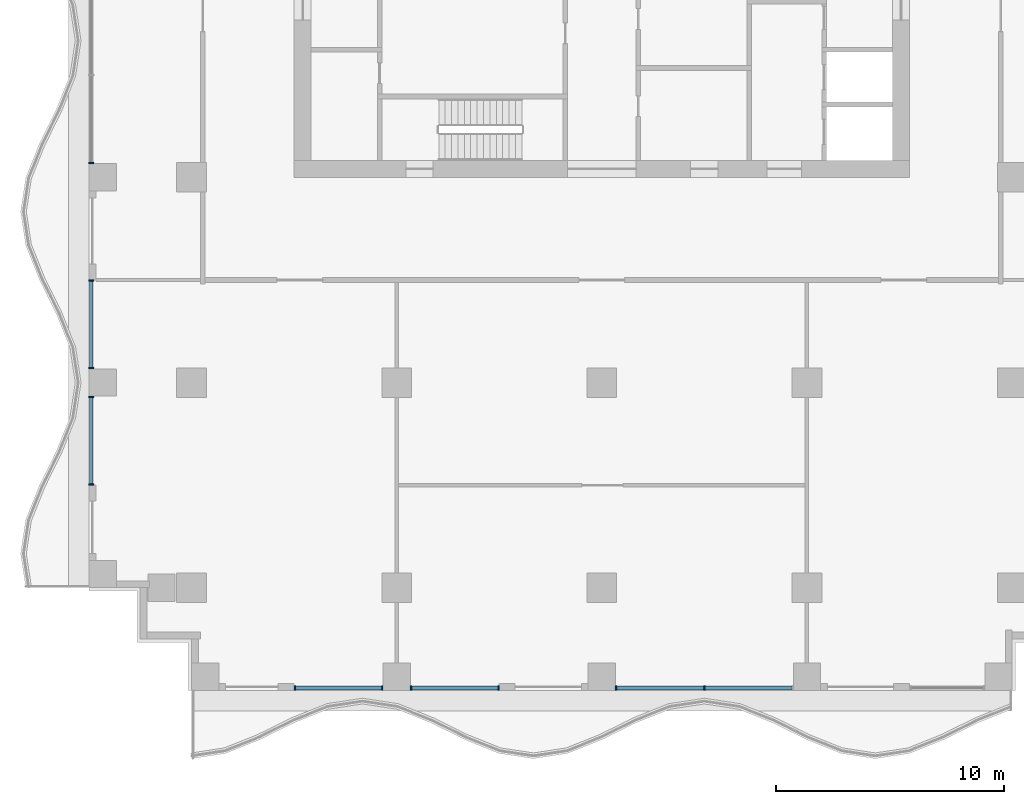
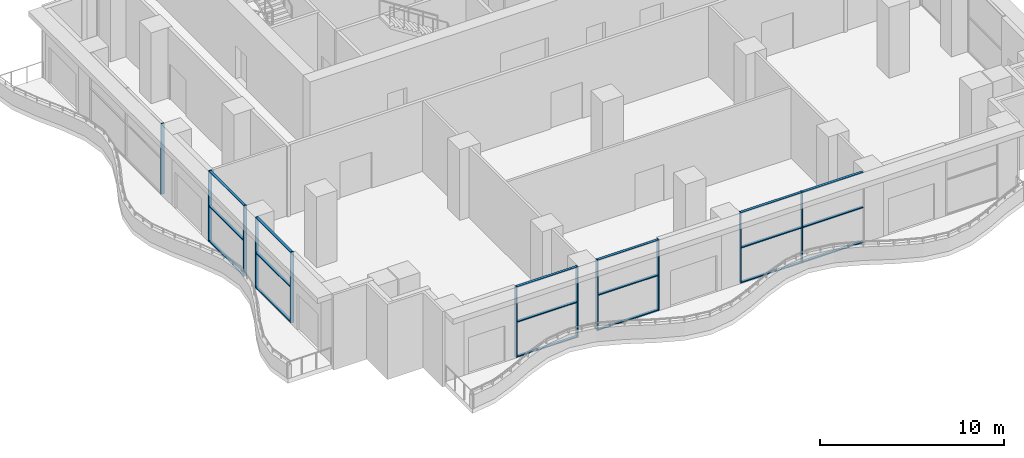
# One storey, part 2 of 14: 29 members, 6 elements without a shape of their own.
"""IFC4 building model written with IfcOpenShell, lengths in metres."""

from ifc_helpers import new_model, si_unit, direction, frame, origin, origin_2d, place, context, subcontext, project, spatial, rectangle, extrude, material, material_profile, profile_set, type_object, element, aggregate, save


model = new_model("IFC4")

# Units and contexts
model_context = context("Model", 3, precision=1e-05, world=origin(), true_north=direction((0.0, 1.0)))
body_context = subcontext(model_context, "Body", "Model", "MODEL_VIEW")
ifc_project = project(units=[si_unit("LENGTHUNIT", "METRE"), si_unit("AREAUNIT", "SQUARE_METRE"), si_unit("VOLUMEUNIT", "CUBIC_METRE"), si_unit("PLANEANGLEUNIT", "RADIAN"), si_unit("MASSUNIT", "GRAM", prefix="KILO")], contexts=[model_context])

# Site, building, storey
site_placement = place(None, origin())
site = spatial("IfcSite", under=ifc_project, at=site_placement, CompositionType="ELEMENT")
building_placement = place(site_placement, origin())
building = spatial("IfcBuilding", under=site, at=building_placement, Name="Orbiselva Terraces", CompositionType="ELEMENT")
storey_placement = place(building_placement, frame((0.0, 0.0, 120.0)))
storey = spatial("IfcBuildingStorey", under=building, at=storey_placement, Name="L30", CompositionType="ELEMENT", Elevation=120.0)

# Curtain wall, members
ifc_material_1 = material(Name="Clear low-e glazing in aluminium frame", Category="aluminium")
curtain_wall_type = type_object("IfcCurtainWallType", Name="ENV-CW-SKY", PredefinedType="NOTDEFINED", material=ifc_material_1)
curtain_wall_1_placement = place(storey_placement, origin())
curtain_wall_1 = element("IfcCurtainWall", 1, at=curtain_wall_1_placement, inside=storey, type_object=curtain_wall_type, Name="Curtain wall L30 S", PredefinedType="NOTDEFINED")
ifc_material_2 = material(Name="Anodised aluminium", Category="aluminium")
ifc_material_profile_1 = material_profile(ifc_material_2, rectangle(XDim=0.2, YDim=0.065, at=origin_2d()), Name="AL 65x200")
ifc_profile_set_1 = profile_set([ifc_material_profile_1], Name="Anodised aluminium")
member_type_1 = type_object("IfcMemberType", Name="ENV-CW-SKY-MULLION-65x200", PredefinedType="MULLION", material=ifc_profile_set_1)
member_1_placement = place(storey_placement, frame((-13.4675, -17.9, 0.0), z_axis=(0.0, 0.0, 1.0), x_axis=(0.0, 1.0, 0.0)))
member_1 = element("IfcMember", 2, at=member_1_placement, type_object=member_type_1, Name="CW3 mullion 1", PredefinedType="MULLION", context=body_context, shape_type="SweptSolid", body=[
    extrude(rectangle(XDim=0.2, YDim=0.065, at=origin_2d()), origin(), (0.0, 0.0, 1.0), 4.7),
])
member_2_placement = place(storey_placement, frame((-9.6325, -17.9, 0.0), z_axis=(0.0, 0.0, 1.0), x_axis=(0.0, 1.0, 0.0)))
member_2 = element("IfcMember", 3, at=member_2_placement, type_object=member_type_1, Name="CW3 mullion 2", PredefinedType="MULLION", context=body_context, shape_type="SweptSolid", body=[
    extrude(rectangle(XDim=0.2, YDim=0.065, at=origin_2d()), origin(), (0.0, 0.0, 1.0), 4.7),
])

curtain_wall_2_placement = place(storey_placement, origin())
curtain_wall_2 = element("IfcCurtainWall", 4, at=curtain_wall_2_placement, inside=storey, type_object=curtain_wall_type, Name="Curtain wall L30 S", PredefinedType="NOTDEFINED")
member_3_placement = place(storey_placement, frame((-8.3675, -17.9, 0.0), z_axis=(0.0, 0.0, 1.0), x_axis=(0.0, 1.0, 0.0)))
member_3 = element("IfcMember", 5, at=member_3_placement, type_object=member_type_1, Name="CW3 mullion 1", PredefinedType="MULLION", context=body_context, shape_type="SweptSolid", body=[
    extrude(rectangle(XDim=0.2, YDim=0.065, at=origin_2d()), origin(), (0.0, 0.0, 1.0), 4.7),
])
member_4_placement = place(storey_placement, frame((-4.5325, -17.9, 0.0), z_axis=(0.0, 0.0, 1.0), x_axis=(0.0, 1.0, 0.0)))
member_4 = element("IfcMember", 6, at=member_4_placement, type_object=member_type_1, Name="CW3 mullion 2", PredefinedType="MULLION", context=body_context, shape_type="SweptSolid", body=[
    extrude(rectangle(XDim=0.2, YDim=0.065, at=origin_2d()), origin(), (0.0, 0.0, 1.0), 4.7),
])

curtain_wall_3_placement = place(storey_placement, origin())
curtain_wall_3 = element("IfcCurtainWall", 7, at=curtain_wall_3_placement, inside=storey, type_object=curtain_wall_type, Name="Curtain wall L30 S", PredefinedType="NOTDEFINED")
member_5_placement = place(storey_placement, frame((0.6325, -17.9, 0.0), z_axis=(0.0, 0.0, 1.0), x_axis=(0.0, 1.0, 0.0)))
member_5 = element("IfcMember", 8, at=member_5_placement, type_object=member_type_1, Name="CW3 mullion 1", PredefinedType="MULLION", context=body_context, shape_type="SweptSolid", body=[
    extrude(rectangle(XDim=0.2, YDim=0.065, at=origin_2d()), origin(), (0.0, 0.0, 1.0), 4.7),
])
member_6_placement = place(storey_placement, frame((4.5, -17.9, 0.0), z_axis=(0.0, 0.0, 1.0), x_axis=(0.0, 1.0, 0.0)))
member_6 = element("IfcMember", 9, at=member_6_placement, type_object=member_type_1, Name="CW3 mullion 2", PredefinedType="MULLION", context=body_context, shape_type="SweptSolid", body=[
    extrude(rectangle(XDim=0.2, YDim=0.065, at=origin_2d()), origin(), (0.0, 0.0, 1.0), 4.7),
])

# Curtain wall, member
curtain_wall_4_placement = place(storey_placement, origin())
curtain_wall_4 = element("IfcCurtainWall", 10, at=curtain_wall_4_placement, inside=storey, type_object=curtain_wall_type, Name="Curtain wall L30 W", PredefinedType="NOTDEFINED")
member_7_placement = place(storey_placement, frame((-22.4, 5.1325, 0.0), z_axis=(0.0, 0.0, 1.0), x_axis=(1.0, 0.0, 0.0)))
member_7 = element("IfcMember", 11, at=member_7_placement, type_object=member_type_1, Name="CW3 mullion 3", PredefinedType="MULLION", context=body_context, shape_type="SweptSolid", body=[
    extrude(rectangle(XDim=0.2, YDim=0.065, at=origin_2d()), origin(), (0.0, 0.0, 1.0), 4.7),
])
aggregate(curtain_wall_4, [member_7])

# Curtain wall, members
curtain_wall_5_placement = place(storey_placement, origin())
curtain_wall_5 = element("IfcCurtainWall", 12, at=curtain_wall_5_placement, inside=storey, type_object=curtain_wall_type, Name="Curtain wall L30 W", PredefinedType="NOTDEFINED")
member_8_placement = place(storey_placement, frame((-22.4, -0.0325, 0.0), z_axis=(0.0, 0.0, 1.0), x_axis=(1.0, 0.0, 0.0)))
member_8 = element("IfcMember", 13, at=member_8_placement, type_object=member_type_1, Name="CW3 mullion 1", PredefinedType="MULLION", context=body_context, shape_type="SweptSolid", body=[
    extrude(rectangle(XDim=0.2, YDim=0.065, at=origin_2d()), origin(), (0.0, 0.0, 1.0), 4.7),
])
member_9_placement = place(storey_placement, frame((-22.4, -3.8675, 0.0), z_axis=(0.0, 0.0, 1.0), x_axis=(1.0, 0.0, 0.0)))
member_9 = element("IfcMember", 14, at=member_9_placement, type_object=member_type_1, Name="CW3 mullion 2", PredefinedType="MULLION", context=body_context, shape_type="SweptSolid", body=[
    extrude(rectangle(XDim=0.2, YDim=0.065, at=origin_2d()), origin(), (0.0, 0.0, 1.0), 4.7),
])

curtain_wall_6_placement = place(storey_placement, origin())
curtain_wall_6 = element("IfcCurtainWall", 15, at=curtain_wall_6_placement, inside=storey, type_object=curtain_wall_type, Name="Curtain wall L30 W", PredefinedType="NOTDEFINED")
member_10_placement = place(storey_placement, frame((-22.4, -5.1325, 0.0), z_axis=(0.0, 0.0, 1.0), x_axis=(1.0, 0.0, 0.0)))
member_10 = element("IfcMember", 16, at=member_10_placement, type_object=member_type_1, Name="CW3 mullion 1", PredefinedType="MULLION", context=body_context, shape_type="SweptSolid", body=[
    extrude(rectangle(XDim=0.2, YDim=0.065, at=origin_2d()), origin(), (0.0, 0.0, 1.0), 4.7),
])
member_11_placement = place(storey_placement, frame((-22.4, -8.9675, 0.0), z_axis=(0.0, 0.0, 1.0), x_axis=(1.0, 0.0, 0.0)))
member_11 = element("IfcMember", 17, at=member_11_placement, type_object=member_type_1, Name="CW3 mullion 2", PredefinedType="MULLION", context=body_context, shape_type="SweptSolid", body=[
    extrude(rectangle(XDim=0.2, YDim=0.065, at=origin_2d()), origin(), (0.0, 0.0, 1.0), 4.7),
])

# Member
ifc_material_profile_2 = material_profile(ifc_material_2, rectangle(XDim=0.16, YDim=0.065, at=origin_2d()), Name="AL 65x160")
ifc_profile_set_2 = profile_set([ifc_material_profile_2], Name="Anodised aluminium")
member_type_2 = type_object("IfcMemberType", Name="ENV-CW-SKY-TRANSOM-65x160", PredefinedType="USERDEFINED", material=ifc_profile_set_2)
member_12_placement = place(storey_placement, frame((-13.435, -17.9, 0.0325), z_axis=(1.0, 0.0, 0.0), x_axis=(0.0, 1.0, 0.0)))
member_12 = element("IfcMember", 18, at=member_12_placement, type_object=member_type_2, Name="CW3 transom 1.1", ObjectType="TRANSOM", PredefinedType="USERDEFINED", context=body_context, shape_type="SweptSolid", body=[
    extrude(rectangle(XDim=0.16, YDim=0.065, at=origin_2d()), origin(), (0.0, 0.0, 1.0), 3.77),
])

member_13_placement = place(storey_placement, frame((-13.435, -17.9, 2.35), z_axis=(1.0, 0.0, 0.0), x_axis=(0.0, 1.0, 0.0)))
member_13 = element("IfcMember", 19, at=member_13_placement, type_object=member_type_2, Name="CW3 transom 1.2", ObjectType="TRANSOM", PredefinedType="USERDEFINED", context=body_context, shape_type="SweptSolid", body=[
    extrude(rectangle(XDim=0.16, YDim=0.065, at=origin_2d()), origin(), (0.0, 0.0, 1.0), 3.77),
])

member_14_placement = place(storey_placement, frame((-13.435, -17.9, 4.6675), z_axis=(1.0, 0.0, 0.0), x_axis=(0.0, 1.0, 0.0)))
member_14 = element("IfcMember", 20, at=member_14_placement, type_object=member_type_2, Name="CW3 transom 1.3", ObjectType="TRANSOM", PredefinedType="USERDEFINED", context=body_context, shape_type="SweptSolid", body=[
    extrude(rectangle(XDim=0.16, YDim=0.065, at=origin_2d()), origin(), (0.0, 0.0, 1.0), 3.77),
])

aggregate(curtain_wall_1, [member_1, member_2, member_12, member_13, member_14])

member_15_placement = place(storey_placement, frame((-8.335, -17.9, 0.0325), z_axis=(1.0, 0.0, 0.0), x_axis=(0.0, 1.0, 0.0)))
member_15 = element("IfcMember", 21, at=member_15_placement, type_object=member_type_2, Name="CW3 transom 1.1", ObjectType="TRANSOM", PredefinedType="USERDEFINED", context=body_context, shape_type="SweptSolid", body=[
    extrude(rectangle(XDim=0.16, YDim=0.065, at=origin_2d()), origin(), (0.0, 0.0, 1.0), 3.77),
])

member_16_placement = place(storey_placement, frame((-8.335, -17.9, 2.35), z_axis=(1.0, 0.0, 0.0), x_axis=(0.0, 1.0, 0.0)))
member_16 = element("IfcMember", 22, at=member_16_placement, type_object=member_type_2, Name="CW3 transom 1.2", ObjectType="TRANSOM", PredefinedType="USERDEFINED", context=body_context, shape_type="SweptSolid", body=[
    extrude(rectangle(XDim=0.16, YDim=0.065, at=origin_2d()), origin(), (0.0, 0.0, 1.0), 3.77),
])

member_17_placement = place(storey_placement, frame((-8.335, -17.9, 4.6675), z_axis=(1.0, 0.0, 0.0), x_axis=(0.0, 1.0, 0.0)))
member_17 = element("IfcMember", 23, at=member_17_placement, type_object=member_type_2, Name="CW3 transom 1.3", ObjectType="TRANSOM", PredefinedType="USERDEFINED", context=body_context, shape_type="SweptSolid", body=[
    extrude(rectangle(XDim=0.16, YDim=0.065, at=origin_2d()), origin(), (0.0, 0.0, 1.0), 3.77),
])

aggregate(curtain_wall_2, [member_3, member_4, member_15, member_16, member_17])

member_18_placement = place(storey_placement, frame((0.665, -17.9, 0.0325), z_axis=(1.0, 0.0, 0.0), x_axis=(0.0, 1.0, 0.0)))
member_18 = element("IfcMember", 24, at=member_18_placement, type_object=member_type_2, Name="CW3 transom 1.1", ObjectType="TRANSOM", PredefinedType="USERDEFINED", context=body_context, shape_type="SweptSolid", body=[
    extrude(rectangle(XDim=0.16, YDim=0.065, at=origin_2d()), origin(), (0.0, 0.0, 1.0), 3.8025),
])

member_19_placement = place(storey_placement, frame((0.665, -17.9, 2.35), z_axis=(1.0, 0.0, 0.0), x_axis=(0.0, 1.0, 0.0)))
member_19 = element("IfcMember", 25, at=member_19_placement, type_object=member_type_2, Name="CW3 transom 1.2", ObjectType="TRANSOM", PredefinedType="USERDEFINED", context=body_context, shape_type="SweptSolid", body=[
    extrude(rectangle(XDim=0.16, YDim=0.065, at=origin_2d()), origin(), (0.0, 0.0, 1.0), 3.8025),
])

member_20_placement = place(storey_placement, frame((0.665, -17.9, 4.6675), z_axis=(1.0, 0.0, 0.0), x_axis=(0.0, 1.0, 0.0)))
member_20 = element("IfcMember", 26, at=member_20_placement, type_object=member_type_2, Name="CW3 transom 1.3", ObjectType="TRANSOM", PredefinedType="USERDEFINED", context=body_context, shape_type="SweptSolid", body=[
    extrude(rectangle(XDim=0.16, YDim=0.065, at=origin_2d()), origin(), (0.0, 0.0, 1.0), 3.8025),
])

member_21_placement = place(storey_placement, frame((4.5325, -17.9, 0.0325), z_axis=(1.0, 0.0, 0.0), x_axis=(0.0, 1.0, 0.0)))
member_21 = element("IfcMember", 27, at=member_21_placement, type_object=member_type_2, Name="CW3 transom 2.1", ObjectType="TRANSOM", PredefinedType="USERDEFINED", context=body_context, shape_type="SweptSolid", body=[
    extrude(rectangle(XDim=0.16, YDim=0.065, at=origin_2d()), origin(), (0.0, 0.0, 1.0), 3.8025),
])

member_22_placement = place(storey_placement, frame((4.5325, -17.9, 2.35), z_axis=(1.0, 0.0, 0.0), x_axis=(0.0, 1.0, 0.0)))
member_22 = element("IfcMember", 28, at=member_22_placement, type_object=member_type_2, Name="CW3 transom 2.2", ObjectType="TRANSOM", PredefinedType="USERDEFINED", context=body_context, shape_type="SweptSolid", body=[
    extrude(rectangle(XDim=0.16, YDim=0.065, at=origin_2d()), origin(), (0.0, 0.0, 1.0), 3.8025),
])

member_23_placement = place(storey_placement, frame((4.5325, -17.9, 4.6675), z_axis=(1.0, 0.0, 0.0), x_axis=(0.0, 1.0, 0.0)))
member_23 = element("IfcMember", 29, at=member_23_placement, type_object=member_type_2, Name="CW3 transom 2.3", ObjectType="TRANSOM", PredefinedType="USERDEFINED", context=body_context, shape_type="SweptSolid", body=[
    extrude(rectangle(XDim=0.16, YDim=0.065, at=origin_2d()), origin(), (0.0, 0.0, 1.0), 3.8025),
])

aggregate(curtain_wall_3, [member_5, member_6, member_18, member_19, member_20, member_21, member_22, member_23])

member_24_placement = place(storey_placement, frame((-22.4, -0.065, 0.0325), z_axis=(0.0, -1.0, 0.0), x_axis=(1.0, 0.0, 0.0)))
member_24 = element("IfcMember", 30, at=member_24_placement, type_object=member_type_2, Name="CW3 transom 1.1", ObjectType="TRANSOM", PredefinedType="USERDEFINED", context=body_context, shape_type="SweptSolid", body=[
    extrude(rectangle(XDim=0.16, YDim=0.065, at=origin_2d()), origin(), (0.0, 0.0, 1.0), 3.77),
])

member_25_placement = place(storey_placement, frame((-22.4, -0.065, 2.35), z_axis=(0.0, -1.0, 0.0), x_axis=(1.0, 0.0, 0.0)))
member_25 = element("IfcMember", 31, at=member_25_placement, type_object=member_type_2, Name="CW3 transom 1.2", ObjectType="TRANSOM", PredefinedType="USERDEFINED", context=body_context, shape_type="SweptSolid", body=[
    extrude(rectangle(XDim=0.16, YDim=0.065, at=origin_2d()), origin(), (0.0, 0.0, 1.0), 3.77),
])

member_26_placement = place(storey_placement, frame((-22.4, -0.065, 4.6675), z_axis=(0.0, -1.0, 0.0), x_axis=(1.0, 0.0, 0.0)))
member_26 = element("IfcMember", 32, at=member_26_placement, type_object=member_type_2, Name="CW3 transom 1.3", ObjectType="TRANSOM", PredefinedType="USERDEFINED", context=body_context, shape_type="SweptSolid", body=[
    extrude(rectangle(XDim=0.16, YDim=0.065, at=origin_2d()), origin(), (0.0, 0.0, 1.0), 3.77),
])

aggregate(curtain_wall_5, [member_8, member_9, member_24, member_25, member_26])

member_27_placement = place(storey_placement, frame((-22.4, -5.165, 0.0325), z_axis=(0.0, -1.0, 0.0), x_axis=(1.0, 0.0, 0.0)))
member_27 = element("IfcMember", 33, at=member_27_placement, type_object=member_type_2, Name="CW3 transom 1.1", ObjectType="TRANSOM", PredefinedType="USERDEFINED", context=body_context, shape_type="SweptSolid", body=[
    extrude(rectangle(XDim=0.16, YDim=0.065, at=origin_2d()), origin(), (0.0, 0.0, 1.0), 3.77),
])

member_28_placement = place(storey_placement, frame((-22.4, -5.165, 2.35), z_axis=(0.0, -1.0, 0.0), x_axis=(1.0, 0.0, 0.0)))
member_28 = element("IfcMember", 34, at=member_28_placement, type_object=member_type_2, Name="CW3 transom 1.2", ObjectType="TRANSOM", PredefinedType="USERDEFINED", context=body_context, shape_type="SweptSolid", body=[
    extrude(rectangle(XDim=0.16, YDim=0.065, at=origin_2d()), origin(), (0.0, 0.0, 1.0), 3.77),
])

member_29_placement = place(storey_placement, frame((-22.4, -5.165, 4.6675), z_axis=(0.0, -1.0, 0.0), x_axis=(1.0, 0.0, 0.0)))
member_29 = element("IfcMember", 35, at=member_29_placement, type_object=member_type_2, Name="CW3 transom 1.3", ObjectType="TRANSOM", PredefinedType="USERDEFINED", context=body_context, shape_type="SweptSolid", body=[
    extrude(rectangle(XDim=0.16, YDim=0.065, at=origin_2d()), origin(), (0.0, 0.0, 1.0), 3.77),
])

aggregate(curtain_wall_6, [member_10, member_11, member_27, member_28, member_29])

save(model, "model.ifc")
